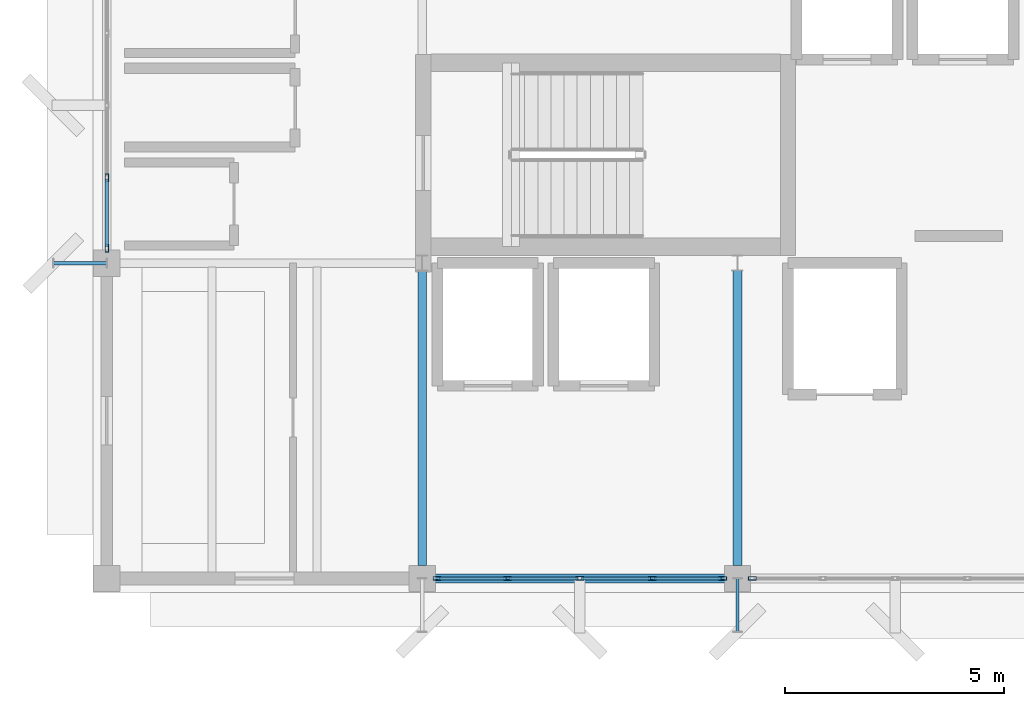
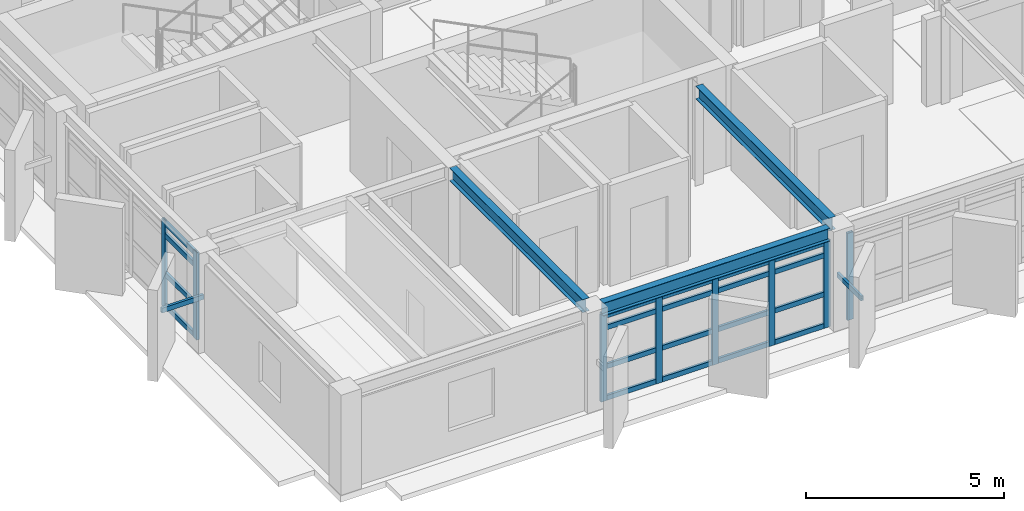
# One storey, part 3 of 15: 30 members, 3 beams, 3 elements without a shape of their own.
"""IFC4 building model written with IfcOpenShell, lengths in metres."""

from ifc_helpers import new_model, si_unit, direction, frame, origin, origin_2d, place, context, subcontext, project, spatial, hollow_rectangle, i_section, extrude, material, layer, layer_set, material_profile, profile_set, type_object, element, aggregate, save


model = new_model("IFC4")

# Units and contexts
model_context = context("Model", 3, precision=1e-05, world=origin(), true_north=direction((0.0, 1.0)))
body_context = subcontext(model_context, "Body", "Model", "MODEL_VIEW")
ifc_project = project(units=[si_unit("LENGTHUNIT", "METRE"), si_unit("AREAUNIT", "SQUARE_METRE"), si_unit("VOLUMEUNIT", "CUBIC_METRE"), si_unit("PLANEANGLEUNIT", "RADIAN"), si_unit("MASSUNIT", "GRAM", prefix="KILO")], contexts=[model_context])

# Site, building, storey
site_placement = place(None, origin())
site = spatial("IfcSite", under=ifc_project, at=site_placement, CompositionType="ELEMENT")
building_placement = place(site_placement, origin())
building = spatial("IfcBuilding", under=site, at=building_placement, Name="Kandorven Conservatory and Botanical Research Centre", CompositionType="ELEMENT")
storey_placement = place(building_placement, frame((0.0, 0.0, 56.10009765625)))
storey = spatial("IfcBuildingStorey", under=building, at=storey_placement, Name="L14", CompositionType="ELEMENT", Elevation=56.10009765625)

# Beams
ifc_material_1 = material(Name="Steel S355 (IS 2062 E350)", Category="steel")
ifc_material_profile_1 = material_profile(ifc_material_1, i_section(OverallWidth=0.199951171875, OverallDepth=0.39990234375, WebThickness=0.008544921875, FlangeThickness=0.012939453125, at=origin_2d()))
ifc_profile_set_1 = profile_set([ifc_material_profile_1], Name="Steel S355 (IS 2062 E350)")
beam_type = type_object("IfcBeamType", Name="Beam_FG-03", PredefinedType="USERDEFINED", material=ifc_profile_set_1)
beam_placement = place(storey_placement, frame((13.489990234375, 6.0, 2.887939453125), z_axis=(1.0, 0.0, 0.0), x_axis=(0.0, 1.0, 0.0)))
element("IfcBeam", 1, at=beam_placement, inside=storey, type_object=beam_type, Name="Primary girder FG-03 TWR L14", ObjectType="GIRDER", PredefinedType="USERDEFINED", context=body_context, shape_type="SweptSolid", body=[
    extrude(i_section(OverallWidth=0.199951171875, OverallDepth=0.39990234375, WebThickness=0.008544921875, FlangeThickness=0.012939453125, at=origin_2d()), origin(), (0.0, 0.0, 1.0), 6.6201171875),
])
for number, where, z_axis, x_axis, name in (
    (2, (13.199951171875, 6.2900390625, 2.887939453125), (0.0, 1.0, 0.0), (-1.0, 0.0, 0.0), "Primary girder FG-03 TWR L14"),
    (3, (20.39990234375, 6.2900390625, 2.887939453125), (0.0, 1.0, 0.0), (-1.0, 0.0, 0.0), "Primary girder FG-03 TWR L14"),
):
    element("IfcBeam", number, at=place(storey_placement, frame(where, z_axis=z_axis, x_axis=x_axis)), inside=storey, type_object=beam_type, Name=name, ObjectType="GIRDER", PredefinedType="USERDEFINED", context=body_context, shape_type="SweptSolid", body=[
        extrude(i_section(OverallWidth=0.199951171875, OverallDepth=0.39990234375, WebThickness=0.008544921875, FlangeThickness=0.012939453125, at=origin_2d()), origin(), (0.0, 0.0, 1.0), 6.744873046875),
    ])

# Curtain wall, members
ifc_material_2 = material(Name="Bronze anodised thermally broken aluminium", Category="aluminium")
ifc_layer = layer(ifc_material_2, 0.179931640625)
ifc_layer_set = layer_set([ifc_layer], Name="Bronze anodised thermally broken aluminium")
curtain_wall_type = type_object("IfcCurtainWallType", Name="CW_Unitised", PredefinedType="USERDEFINED", material=ifc_layer_set)
curtain_wall_1_placement = place(storey_placement, origin())
curtain_wall_1 = element("IfcCurtainWall", 4, at=curtain_wall_1_placement, inside=storey, type_object=curtain_wall_type, Name="Tower laboratory curtain wall CW-TWR-S-L14-2", ObjectType="UNITISED GLAZING", PredefinedType="USERDEFINED")
ifc_material_3 = material(Name="Bronze anodised thermally broken aluminium", Category="aluminium")
ifc_material_profile_2 = material_profile(ifc_material_3, hollow_rectangle(XDim=0.080078125, YDim=0.179931640625, WallThickness=0.006103515625, at=origin_2d()))
ifc_profile_set_2 = profile_set([ifc_material_profile_2], Name="Bronze anodised thermally broken aluminium")
member_type_1 = type_object("IfcMemberType", Name="CW_Mullion", PredefinedType="MULLION", material=ifc_profile_set_2)
member_1_placement = place(storey_placement, frame((13.5400390625, 6.0, 0.0), z_axis=(0.0, 0.0, 1.0), x_axis=(0.0, 1.0, 0.0)))
member_1 = element("IfcMember", 5, at=member_1_placement, type_object=member_type_1, Name="CW-01 mullion 1", PredefinedType="MULLION", context=body_context, shape_type="SweptSolid", body=[
    extrude(hollow_rectangle(XDim=0.080078125, YDim=0.179931640625, WallThickness=0.006103515625, at=origin_2d()), origin(), (0.0, 0.0, 1.0), 2.69482421875),
])
member_2_placement = place(storey_placement, frame((15.14990234375, 6.0, 0.0), z_axis=(0.0, 0.0, 1.0), x_axis=(0.0, 1.0, 0.0)))
member_2 = element("IfcMember", 6, at=member_2_placement, type_object=member_type_1, Name="CW-01 mullion 2", PredefinedType="MULLION", context=body_context, shape_type="SweptSolid", body=[
    extrude(hollow_rectangle(XDim=0.080078125, YDim=0.179931640625, WallThickness=0.006103515625, at=origin_2d()), origin(), (0.0, 0.0, 1.0), 2.69482421875),
])
member_3_placement = place(storey_placement, frame((16.800048828125, 6.0, 0.0), z_axis=(0.0, 0.0, 1.0), x_axis=(0.0, 1.0, 0.0)))
member_3 = element("IfcMember", 7, at=member_3_placement, type_object=member_type_1, Name="CW-01 mullion 3", PredefinedType="MULLION", context=body_context, shape_type="SweptSolid", body=[
    extrude(hollow_rectangle(XDim=0.080078125, YDim=0.179931640625, WallThickness=0.006103515625, at=origin_2d()), origin(), (0.0, 0.0, 1.0), 2.69482421875),
])
member_4_placement = place(storey_placement, frame((18.449951171875, 6.0, 0.0), z_axis=(0.0, 0.0, 1.0), x_axis=(0.0, 1.0, 0.0)))
member_4 = element("IfcMember", 8, at=member_4_placement, type_object=member_type_1, Name="CW-01 mullion 4", PredefinedType="MULLION", context=body_context, shape_type="SweptSolid", body=[
    extrude(hollow_rectangle(XDim=0.080078125, YDim=0.179931640625, WallThickness=0.006103515625, at=origin_2d()), origin(), (0.0, 0.0, 1.0), 2.69482421875),
])
member_5_placement = place(storey_placement, frame((20.06005859375, 6.0, 0.0), z_axis=(0.0, 0.0, 1.0), x_axis=(0.0, 1.0, 0.0)))
member_5 = element("IfcMember", 9, at=member_5_placement, type_object=member_type_1, Name="CW-01 mullion 5", PredefinedType="MULLION", context=body_context, shape_type="SweptSolid", body=[
    extrude(hollow_rectangle(XDim=0.080078125, YDim=0.179931640625, WallThickness=0.006103515625, at=origin_2d()), origin(), (0.0, 0.0, 1.0), 2.69482421875),
])

# Curtain wall, member
curtain_wall_2_placement = place(storey_placement, origin())
curtain_wall_2 = element("IfcCurtainWall", 10, at=curtain_wall_2_placement, inside=storey, type_object=curtain_wall_type, Name="Tower laboratory curtain wall CW-TWR-S-L14-3", ObjectType="UNITISED GLAZING", PredefinedType="USERDEFINED")
member_6_placement = place(storey_placement, frame((20.739990234375, 6.0, 0.0), z_axis=(0.0, 0.0, 1.0), x_axis=(0.0, 1.0, 0.0)))
member_6 = element("IfcMember", 11, at=member_6_placement, type_object=member_type_1, Name="CW-01 mullion 1", PredefinedType="MULLION", context=body_context, shape_type="SweptSolid", body=[
    extrude(hollow_rectangle(XDim=0.080078125, YDim=0.179931640625, WallThickness=0.006103515625, at=origin_2d()), origin(), (0.0, 0.0, 1.0), 2.69482421875),
])
aggregate(curtain_wall_2, [member_6])

# Curtain wall, members
curtain_wall_3_placement = place(storey_placement, origin())
curtain_wall_3 = element("IfcCurtainWall", 12, at=curtain_wall_3_placement, inside=storey, type_object=curtain_wall_type, Name="Tower laboratory curtain wall CW-TWR-W-L14-2", ObjectType="UNITISED GLAZING", PredefinedType="USERDEFINED")
member_7_placement = place(storey_placement, frame((6.0, 13.5400390625, 0.0), z_axis=(0.0, 0.0, 1.0), x_axis=(-1.0, 0.0, 0.0)))
member_7 = element("IfcMember", 13, at=member_7_placement, type_object=member_type_1, Name="CW-01 mullion 1", PredefinedType="MULLION", context=body_context, shape_type="SweptSolid", body=[
    extrude(hollow_rectangle(XDim=0.080078125, YDim=0.179931640625, WallThickness=0.006103515625, at=origin_2d()), origin(), (0.0, 0.0, 1.0), 2.69482421875),
])
member_8_placement = place(storey_placement, frame((6.0, 15.14990234375, 0.0), z_axis=(0.0, 0.0, 1.0), x_axis=(-1.0, 0.0, 0.0)))
member_8 = element("IfcMember", 14, at=member_8_placement, type_object=member_type_1, Name="CW-01 mullion 2", PredefinedType="MULLION", context=body_context, shape_type="SweptSolid", body=[
    extrude(hollow_rectangle(XDim=0.080078125, YDim=0.179931640625, WallThickness=0.006103515625, at=origin_2d()), origin(), (0.0, 0.0, 1.0), 2.69482421875),
])

# Member
ifc_material_4 = material(Name="Bronze anodised thermally broken aluminium", Category="aluminium")
ifc_material_profile_3 = material_profile(ifc_material_4, hollow_rectangle(XDim=0.074951171875, YDim=0.14990234375, WallThickness=0.006103515625, at=origin_2d()))
ifc_profile_set_3 = profile_set([ifc_material_profile_3], Name="Bronze anodised thermally broken aluminium")
member_type_2 = type_object("IfcMemberType", Name="CW_Transom", PredefinedType="USERDEFINED", material=ifc_profile_set_3)
member_9_placement = place(storey_placement, frame((13.580078125, 6.0, 0.074951171875), z_axis=(1.0, 0.0, 0.0), x_axis=(0.0, 1.0, 0.0)))
member_9 = element("IfcMember", 15, at=member_9_placement, type_object=member_type_2, Name="CW-01 transom 1.1", ObjectType="TRANSOM", PredefinedType="USERDEFINED", context=body_context, shape_type="SweptSolid", body=[
    extrude(hollow_rectangle(XDim=0.074951171875, YDim=0.14990234375, WallThickness=0.006103515625, at=origin_2d()), origin(), (0.0, 0.0, 1.0), 1.530029296875),
])

member_10_placement = place(storey_placement, frame((13.580078125, 6.0, 1.0498046875), z_axis=(1.0, 0.0, 0.0), x_axis=(0.0, 1.0, 0.0)))
member_10 = element("IfcMember", 16, at=member_10_placement, type_object=member_type_2, Name="CW-01 transom 1.2", ObjectType="TRANSOM", PredefinedType="USERDEFINED", context=body_context, shape_type="SweptSolid", body=[
    extrude(hollow_rectangle(XDim=0.074951171875, YDim=0.14990234375, WallThickness=0.006103515625, at=origin_2d()), origin(), (0.0, 0.0, 1.0), 1.530029296875),
])

member_11_placement = place(storey_placement, frame((13.580078125, 6.0, 2.25), z_axis=(1.0, 0.0, 0.0), x_axis=(0.0, 1.0, 0.0)))
member_11 = element("IfcMember", 17, at=member_11_placement, type_object=member_type_2, Name="CW-01 transom 1.3", ObjectType="TRANSOM", PredefinedType="USERDEFINED", context=body_context, shape_type="SweptSolid", body=[
    extrude(hollow_rectangle(XDim=0.074951171875, YDim=0.14990234375, WallThickness=0.006103515625, at=origin_2d()), origin(), (0.0, 0.0, 1.0), 1.530029296875),
])

member_12_placement = place(storey_placement, frame((13.580078125, 6.0, 2.619873046875), z_axis=(1.0, 0.0, 0.0), x_axis=(0.0, 1.0, 0.0)))
member_12 = element("IfcMember", 18, at=member_12_placement, type_object=member_type_2, Name="CW-01 transom 1.4", ObjectType="TRANSOM", PredefinedType="USERDEFINED", context=body_context, shape_type="SweptSolid", body=[
    extrude(hollow_rectangle(XDim=0.074951171875, YDim=0.14990234375, WallThickness=0.006103515625, at=origin_2d()), origin(), (0.0, 0.0, 1.0), 1.530029296875),
])

member_13_placement = place(storey_placement, frame((15.18994140625, 6.0, 0.074951171875), z_axis=(1.0, 0.0, 0.0), x_axis=(0.0, 1.0, 0.0)))
member_13 = element("IfcMember", 19, at=member_13_placement, type_object=member_type_2, Name="CW-01 transom 2.1", ObjectType="TRANSOM", PredefinedType="USERDEFINED", context=body_context, shape_type="SweptSolid", body=[
    extrude(hollow_rectangle(XDim=0.074951171875, YDim=0.14990234375, WallThickness=0.006103515625, at=origin_2d()), origin(), (0.0, 0.0, 1.0), 1.570068359375),
])

member_14_placement = place(storey_placement, frame((15.18994140625, 6.0, 1.0498046875), z_axis=(1.0, 0.0, 0.0), x_axis=(0.0, 1.0, 0.0)))
member_14 = element("IfcMember", 20, at=member_14_placement, type_object=member_type_2, Name="CW-01 transom 2.2", ObjectType="TRANSOM", PredefinedType="USERDEFINED", context=body_context, shape_type="SweptSolid", body=[
    extrude(hollow_rectangle(XDim=0.074951171875, YDim=0.14990234375, WallThickness=0.006103515625, at=origin_2d()), origin(), (0.0, 0.0, 1.0), 1.570068359375),
])

member_15_placement = place(storey_placement, frame((15.18994140625, 6.0, 2.25), z_axis=(1.0, 0.0, 0.0), x_axis=(0.0, 1.0, 0.0)))
member_15 = element("IfcMember", 21, at=member_15_placement, type_object=member_type_2, Name="CW-01 transom 2.3", ObjectType="TRANSOM", PredefinedType="USERDEFINED", context=body_context, shape_type="SweptSolid", body=[
    extrude(hollow_rectangle(XDim=0.074951171875, YDim=0.14990234375, WallThickness=0.006103515625, at=origin_2d()), origin(), (0.0, 0.0, 1.0), 1.570068359375),
])

member_16_placement = place(storey_placement, frame((15.18994140625, 6.0, 2.619873046875), z_axis=(1.0, 0.0, 0.0), x_axis=(0.0, 1.0, 0.0)))
member_16 = element("IfcMember", 22, at=member_16_placement, type_object=member_type_2, Name="CW-01 transom 2.4", ObjectType="TRANSOM", PredefinedType="USERDEFINED", context=body_context, shape_type="SweptSolid", body=[
    extrude(hollow_rectangle(XDim=0.074951171875, YDim=0.14990234375, WallThickness=0.006103515625, at=origin_2d()), origin(), (0.0, 0.0, 1.0), 1.570068359375),
])

member_17_placement = place(storey_placement, frame((16.840087890625, 6.0, 0.074951171875), z_axis=(1.0, 0.0, 0.0), x_axis=(0.0, 1.0, 0.0)))
member_17 = element("IfcMember", 23, at=member_17_placement, type_object=member_type_2, Name="CW-01 transom 3.1", ObjectType="TRANSOM", PredefinedType="USERDEFINED", context=body_context, shape_type="SweptSolid", body=[
    extrude(hollow_rectangle(XDim=0.074951171875, YDim=0.14990234375, WallThickness=0.006103515625, at=origin_2d()), origin(), (0.0, 0.0, 1.0), 1.56982421875),
])

member_18_placement = place(storey_placement, frame((16.840087890625, 6.0, 1.0498046875), z_axis=(1.0, 0.0, 0.0), x_axis=(0.0, 1.0, 0.0)))
member_18 = element("IfcMember", 24, at=member_18_placement, type_object=member_type_2, Name="CW-01 transom 3.2", ObjectType="TRANSOM", PredefinedType="USERDEFINED", context=body_context, shape_type="SweptSolid", body=[
    extrude(hollow_rectangle(XDim=0.074951171875, YDim=0.14990234375, WallThickness=0.006103515625, at=origin_2d()), origin(), (0.0, 0.0, 1.0), 1.56982421875),
])

member_19_placement = place(storey_placement, frame((16.840087890625, 6.0, 2.25), z_axis=(1.0, 0.0, 0.0), x_axis=(0.0, 1.0, 0.0)))
member_19 = element("IfcMember", 25, at=member_19_placement, type_object=member_type_2, Name="CW-01 transom 3.3", ObjectType="TRANSOM", PredefinedType="USERDEFINED", context=body_context, shape_type="SweptSolid", body=[
    extrude(hollow_rectangle(XDim=0.074951171875, YDim=0.14990234375, WallThickness=0.006103515625, at=origin_2d()), origin(), (0.0, 0.0, 1.0), 1.56982421875),
])

member_20_placement = place(storey_placement, frame((16.840087890625, 6.0, 2.619873046875), z_axis=(1.0, 0.0, 0.0), x_axis=(0.0, 1.0, 0.0)))
member_20 = element("IfcMember", 26, at=member_20_placement, type_object=member_type_2, Name="CW-01 transom 3.4", ObjectType="TRANSOM", PredefinedType="USERDEFINED", context=body_context, shape_type="SweptSolid", body=[
    extrude(hollow_rectangle(XDim=0.074951171875, YDim=0.14990234375, WallThickness=0.006103515625, at=origin_2d()), origin(), (0.0, 0.0, 1.0), 1.56982421875),
])

member_21_placement = place(storey_placement, frame((18.489990234375, 6.0, 0.074951171875), z_axis=(1.0, 0.0, 0.0), x_axis=(0.0, 1.0, 0.0)))
member_21 = element("IfcMember", 27, at=member_21_placement, type_object=member_type_2, Name="CW-01 transom 4.1", ObjectType="TRANSOM", PredefinedType="USERDEFINED", context=body_context, shape_type="SweptSolid", body=[
    extrude(hollow_rectangle(XDim=0.074951171875, YDim=0.14990234375, WallThickness=0.006103515625, at=origin_2d()), origin(), (0.0, 0.0, 1.0), 1.530029296875),
])

member_22_placement = place(storey_placement, frame((18.489990234375, 6.0, 1.0498046875), z_axis=(1.0, 0.0, 0.0), x_axis=(0.0, 1.0, 0.0)))
member_22 = element("IfcMember", 28, at=member_22_placement, type_object=member_type_2, Name="CW-01 transom 4.2", ObjectType="TRANSOM", PredefinedType="USERDEFINED", context=body_context, shape_type="SweptSolid", body=[
    extrude(hollow_rectangle(XDim=0.074951171875, YDim=0.14990234375, WallThickness=0.006103515625, at=origin_2d()), origin(), (0.0, 0.0, 1.0), 1.530029296875),
])

member_23_placement = place(storey_placement, frame((18.489990234375, 6.0, 2.25), z_axis=(1.0, 0.0, 0.0), x_axis=(0.0, 1.0, 0.0)))
member_23 = element("IfcMember", 29, at=member_23_placement, type_object=member_type_2, Name="CW-01 transom 4.3", ObjectType="TRANSOM", PredefinedType="USERDEFINED", context=body_context, shape_type="SweptSolid", body=[
    extrude(hollow_rectangle(XDim=0.074951171875, YDim=0.14990234375, WallThickness=0.006103515625, at=origin_2d()), origin(), (0.0, 0.0, 1.0), 1.530029296875),
])

member_24_placement = place(storey_placement, frame((18.489990234375, 6.0, 2.619873046875), z_axis=(1.0, 0.0, 0.0), x_axis=(0.0, 1.0, 0.0)))
member_24 = element("IfcMember", 30, at=member_24_placement, type_object=member_type_2, Name="CW-01 transom 4.4", ObjectType="TRANSOM", PredefinedType="USERDEFINED", context=body_context, shape_type="SweptSolid", body=[
    extrude(hollow_rectangle(XDim=0.074951171875, YDim=0.14990234375, WallThickness=0.006103515625, at=origin_2d()), origin(), (0.0, 0.0, 1.0), 1.530029296875),
])

aggregate(curtain_wall_1, [member_1, member_2, member_3, member_4, member_5, member_9, member_10, member_11, member_12, member_13, member_14, member_15, member_16, member_17, member_18, member_19, member_20, member_21, member_22, member_23, member_24])

member_25_placement = place(storey_placement, frame((6.0, 13.580078125, 0.074951171875), z_axis=(0.0, 1.0, 0.0), x_axis=(-1.0, 0.0, 0.0)))
member_25 = element("IfcMember", 31, at=member_25_placement, type_object=member_type_2, Name="CW-01 transom 1.1", ObjectType="TRANSOM", PredefinedType="USERDEFINED", context=body_context, shape_type="SweptSolid", body=[
    extrude(hollow_rectangle(XDim=0.074951171875, YDim=0.14990234375, WallThickness=0.006103515625, at=origin_2d()), origin(), (0.0, 0.0, 1.0), 1.530029296875),
])

member_26_placement = place(storey_placement, frame((6.0, 13.580078125, 1.0498046875), z_axis=(0.0, 1.0, 0.0), x_axis=(-1.0, 0.0, 0.0)))
member_26 = element("IfcMember", 32, at=member_26_placement, type_object=member_type_2, Name="CW-01 transom 1.2", ObjectType="TRANSOM", PredefinedType="USERDEFINED", context=body_context, shape_type="SweptSolid", body=[
    extrude(hollow_rectangle(XDim=0.074951171875, YDim=0.14990234375, WallThickness=0.006103515625, at=origin_2d()), origin(), (0.0, 0.0, 1.0), 1.530029296875),
])

member_27_placement = place(storey_placement, frame((6.0, 13.580078125, 2.25), z_axis=(0.0, 1.0, 0.0), x_axis=(-1.0, 0.0, 0.0)))
member_27 = element("IfcMember", 33, at=member_27_placement, type_object=member_type_2, Name="CW-01 transom 1.3", ObjectType="TRANSOM", PredefinedType="USERDEFINED", context=body_context, shape_type="SweptSolid", body=[
    extrude(hollow_rectangle(XDim=0.074951171875, YDim=0.14990234375, WallThickness=0.006103515625, at=origin_2d()), origin(), (0.0, 0.0, 1.0), 1.530029296875),
])

member_28_placement = place(storey_placement, frame((6.0, 13.580078125, 2.619873046875), z_axis=(0.0, 1.0, 0.0), x_axis=(-1.0, 0.0, 0.0)))
member_28 = element("IfcMember", 34, at=member_28_placement, type_object=member_type_2, Name="CW-01 transom 1.4", ObjectType="TRANSOM", PredefinedType="USERDEFINED", context=body_context, shape_type="SweptSolid", body=[
    extrude(hollow_rectangle(XDim=0.074951171875, YDim=0.14990234375, WallThickness=0.006103515625, at=origin_2d()), origin(), (0.0, 0.0, 1.0), 1.530029296875),
])

aggregate(curtain_wall_3, [member_7, member_8, member_25, member_26, member_27, member_28])

# Members
ifc_material_5 = material(Name="Steel S355 (IS 2062 E350)", Category="steel")
ifc_material_profile_4 = material_profile(ifc_material_5, hollow_rectangle(XDim=0.074951171875, YDim=0.14990234375, WallThickness=0.006103515625, at=origin_2d()))
ifc_profile_set_4 = profile_set([ifc_material_profile_4], Name="Steel S355 (IS 2062 E350)")
member_type_3 = type_object("IfcMemberType", Name="Mem_SF-01", PredefinedType="STRUT", material=ifc_profile_set_4)
for number, where, z_axis, x_axis, name in (
    (35, (20.39990234375, 6.0, 1.5), (0.0, -1.0, 0.0), (1.0, 0.0, 0.0), "Solar fin steel outrigger strut SF-01 #123"),
    (36, (6.0, 13.199951171875, 1.5), (-1.0, 0.0, 0.0), (0.0, -1.0, 0.0), "Solar fin steel outrigger strut SF-01 #125"),
):
    element("IfcMember", number, at=place(storey_placement, frame(where, z_axis=z_axis, x_axis=x_axis)), inside=storey, type_object=member_type_3, Name=name, PredefinedType="STRUT", context=body_context, shape_type="SweptSolid", body=[
        extrude(hollow_rectangle(XDim=0.074951171875, YDim=0.14990234375, WallThickness=0.006103515625, at=origin_2d()), origin(), (0.0, 0.0, 1.0), 1.219970703125),
    ])

save(model, "model.ifc")
